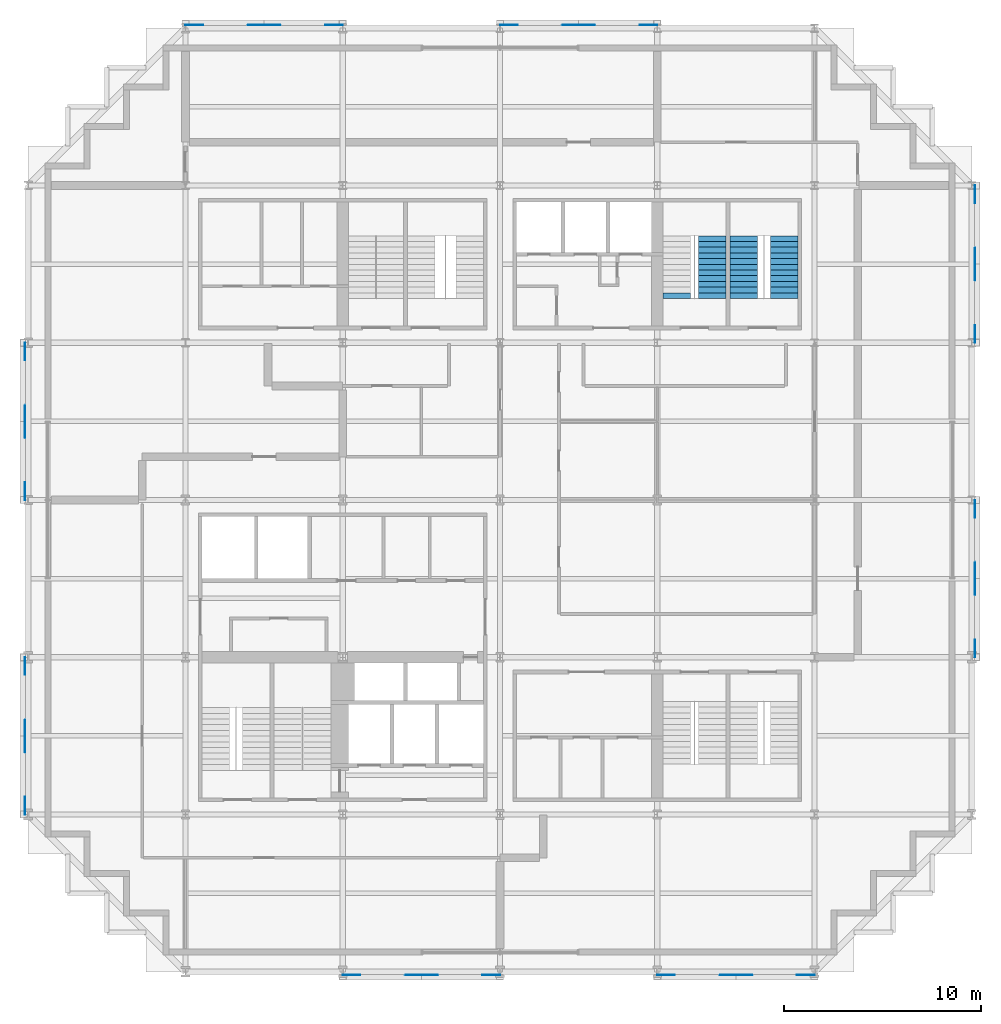
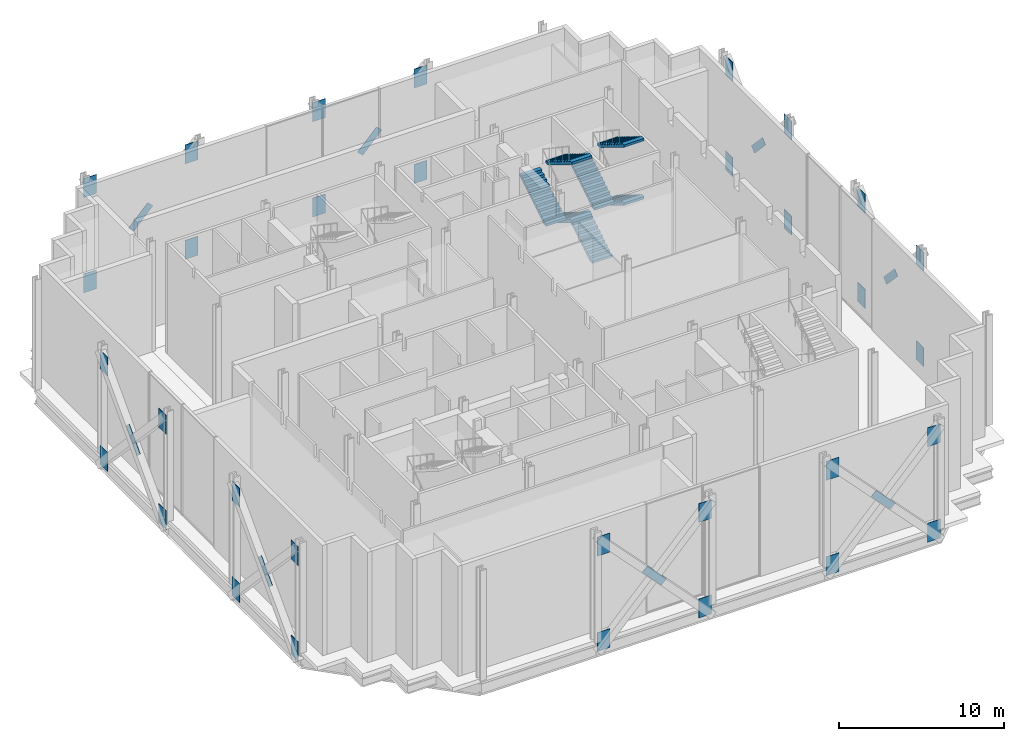
# One storey, part 12 of 13: 40 discrete accessories, 7 stair flights, 2 elements without a shape of their own.
"""IFC4 building model written with IfcOpenShell, lengths in metres."""

from ifc_helpers import new_model, si_unit, direction, frame, origin, origin_2d, place, context, subcontext, project, spatial, polyline, rectangle, outline, extrude, material, material_profile, profile_set, type_object, element, aggregate, save


model = new_model("IFC4")

# Units and contexts
model_context = context("Model", 3, precision=1e-05, world=origin(), true_north=direction((0.0, 1.0)))
body_context = subcontext(model_context, "Body", "Model", "MODEL_VIEW")
ifc_project = project(units=[si_unit("LENGTHUNIT", "METRE"), si_unit("AREAUNIT", "SQUARE_METRE"), si_unit("VOLUMEUNIT", "CUBIC_METRE"), si_unit("PLANEANGLEUNIT", "RADIAN"), si_unit("MASSUNIT", "GRAM", prefix="KILO")], contexts=[model_context])

# Site, building, storey
site_placement = place(None, origin())
site = spatial("IfcSite", under=ifc_project, at=site_placement, CompositionType="ELEMENT")
building_placement = place(site_placement, origin())
building = spatial("IfcBuilding", under=site, at=building_placement, Name="Immortelle Media Tower", CompositionType="ELEMENT")
storey_placement = place(building_placement, frame((0.0, 0.0, 21.0)))
storey = spatial("IfcBuildingStorey", under=building, at=storey_placement, Name="L02", CompositionType="ELEMENT", Elevation=21.0)

# Stair, stair flights
ifc_material_1 = material(Name="Steel ASTM A992 Gr 50", Category="steel")
stair_type = type_object("IfcStairType", Name="Stair with flights", PredefinedType="DOUBLE_RETURN_STAIR", material=ifc_material_1)
stair_1_placement = place(storey_placement, origin())
stair_1 = element("IfcStair", 1, at=stair_1_placement, inside=storey, type_object=stair_type, Name="Exit stair NE1", PredefinedType="DOUBLE_RETURN_STAIR")
stair_flight_type = type_object("IfcStairFlightType", Name="Stair flight 1400", PredefinedType="STRAIGHT", material=ifc_material_1)
stair_flight_1_placement = place(storey_placement, frame((34.800048828125, 37.43994140625, 1.966064453125), z_axis=(0.0, 0.0, 1.0), x_axis=(0.0, -1.0, 0.0)))
stair_flight_1 = element("IfcStairFlight", 2, at=stair_flight_1_placement, type_object=stair_flight_type, Name="ST NE1 flight 2", NumberOfRisers=12, NumberOfTreads=11, PredefinedType="STRAIGHT", RiserHeight=0.178723404, TreadLength=0.29, context=body_context, shape_type="SweptSolid", body=[
    extrude(outline(polyline([(0.0, 0.0), (0.0, 0.1787109375), (0.2900390625, 0.1787109375), (0.2900390625, 0.357421875), (0.580078125, 0.357421875), (0.580078125, 0.5361328125), (0.8701171875, 0.5361328125), (0.8701171875, 0.71484375), (1.159912109375, 0.71484375), (1.159912109375, 0.8935546875), (1.449951171875, 0.8935546875), (1.449951171875, 1.072265625), (1.739990234375, 1.072265625), (1.739990234375, 1.2509765625), (2.030029296875, 1.2509765625), (2.030029296875, 1.4296875), (2.320068359375, 1.4296875), (2.320068359375, 1.6083984375), (2.610107421875, 1.6083984375), (2.610107421875, 1.787353515625), (2.89990234375, 1.787353515625), (2.89990234375, 1.966064453125), (3.18994140625, 1.966064453125), (3.18994140625, 2.144775390625), (3.18994140625, 1.789794921875), (0.28564453125, 0.0), (0.0, 0.0)])), frame((0.0, 0.699951171875, 0.0), z_axis=(0.0, -1.0, 0.0), x_axis=(1.0, 0.0, 0.0)), (0.0, 0.0, 1.0), 1.39990234375),
])
stair_flight_2_placement = place(storey_placement, frame((33.0, 34.25, 4.110595703125), z_axis=(0.0, 0.0, 1.0), x_axis=(0.0, 1.0, 0.0)))
stair_flight_2 = element("IfcStairFlight", 3, at=stair_flight_2_placement, type_object=stair_flight_type, Name="ST NE1 flight 3", NumberOfRisers=12, NumberOfTreads=11, PredefinedType="STRAIGHT", RiserHeight=0.178723404, TreadLength=0.29, context=body_context, shape_type="SweptSolid", body=[
    extrude(outline(polyline([(0.0, 0.0), (0.0, 0.1787109375), (0.2900390625, 0.1787109375), (0.2900390625, 0.357421875), (0.580078125, 0.357421875), (0.580078125, 0.5361328125), (0.8701171875, 0.5361328125), (0.8701171875, 0.71484375), (1.159912109375, 0.71484375), (1.159912109375, 0.8935546875), (1.449951171875, 0.8935546875), (1.449951171875, 1.072265625), (1.739990234375, 1.072265625), (1.739990234375, 1.2509765625), (2.030029296875, 1.2509765625), (2.030029296875, 1.4296875), (2.320068359375, 1.4296875), (2.320068359375, 1.6083984375), (2.610107421875, 1.6083984375), (2.610107421875, 1.787353515625), (2.89990234375, 1.787353515625), (2.89990234375, 1.966064453125), (3.18994140625, 1.966064453125), (3.18994140625, 2.144775390625), (3.18994140625, 1.789794921875), (0.28564453125, 0.0), (0.0, 0.0)])), frame((0.0, 0.699951171875, 0.0), z_axis=(0.0, -1.0, 0.0), x_axis=(1.0, 0.0, 0.0)), (0.0, 0.0, 1.0), 1.39990234375),
])
stair_flight_3_placement = place(storey_placement, frame((34.800048828125, 37.43994140625, 6.25537109375), z_axis=(0.0, 0.0, 1.0), x_axis=(0.0, -1.0, 0.0)))
stair_flight_3 = element("IfcStairFlight", 4, at=stair_flight_3_placement, type_object=stair_flight_type, Name="ST NE1 flight 4", NumberOfRisers=12, NumberOfTreads=11, PredefinedType="STRAIGHT", RiserHeight=0.178723404, TreadLength=0.29, context=body_context, shape_type="SweptSolid", body=[
    extrude(outline(polyline([(0.0, 0.0), (0.0, 0.1787109375), (0.2900390625, 0.1787109375), (0.2900390625, 0.357421875), (0.580078125, 0.357421875), (0.580078125, 0.5361328125), (0.8701171875, 0.5361328125), (0.8701171875, 0.71484375), (1.159912109375, 0.71484375), (1.159912109375, 0.8935546875), (1.449951171875, 0.8935546875), (1.449951171875, 1.072265625), (1.739990234375, 1.072265625), (1.739990234375, 1.2509765625), (2.030029296875, 1.2509765625), (2.030029296875, 1.4296875), (2.320068359375, 1.4296875), (2.320068359375, 1.6083984375), (2.610107421875, 1.6083984375), (2.610107421875, 1.787353515625), (2.89990234375, 1.787353515625), (2.89990234375, 1.966064453125), (3.18994140625, 1.966064453125), (3.18994140625, 2.144775390625), (3.18994140625, 1.789794921875), (0.28564453125, 0.0), (0.0, 0.0)])), frame((0.0, 0.699951171875, 0.0), z_axis=(0.0, -1.0, 0.0), x_axis=(1.0, 0.0, 0.0)), (0.0, 0.0, 1.0), 1.39990234375),
])
aggregate(stair_1, [stair_flight_1, stair_flight_2, stair_flight_3])

stair_2_placement = place(storey_placement, origin())
stair_2 = element("IfcStair", 5, at=stair_2_placement, inside=storey, type_object=stair_type, Name="Exit stair NE2", PredefinedType="DOUBLE_RETURN_STAIR")
stair_flight_4_placement = place(storey_placement, frame((36.39990234375, 34.5400390625, 0.0), z_axis=(0.0, 0.0, 1.0), x_axis=(0.0, 1.0, 0.0)))
stair_flight_4 = element("IfcStairFlight", 6, at=stair_flight_4_placement, type_object=stair_flight_type, Name="ST NE2 flight 1", NumberOfRisers=11, NumberOfTreads=10, PredefinedType="STRAIGHT", RiserHeight=0.178723404, TreadLength=0.29, context=body_context, shape_type="SweptSolid", body=[
    extrude(outline(polyline([(0.0, 0.0), (0.0, 0.1787109375), (0.2900390625, 0.1787109375), (0.2900390625, 0.357421875), (0.580078125, 0.357421875), (0.580078125, 0.5361328125), (0.8701171875, 0.5361328125), (0.8701171875, 0.71484375), (1.159912109375, 0.71484375), (1.159912109375, 0.8935546875), (1.449951171875, 0.8935546875), (1.449951171875, 1.072265625), (1.739990234375, 1.072265625), (1.739990234375, 1.2509765625), (2.030029296875, 1.2509765625), (2.030029296875, 1.4296875), (2.320068359375, 1.4296875), (2.320068359375, 1.6083984375), (2.610107421875, 1.6083984375), (2.610107421875, 1.787353515625), (2.89990234375, 1.787353515625), (2.89990234375, 1.966064453125), (2.89990234375, 1.611083984375), (0.28564453125, 0.0), (0.0, 0.0)])), frame((0.0, 0.699951171875, 0.0), z_axis=(0.0, -1.0, 0.0), x_axis=(1.0, 0.0, 0.0)), (0.0, 0.0, 1.0), 1.39990234375),
])
stair_flight_5_placement = place(storey_placement, frame((38.449951171875, 37.43994140625, 1.966064453125), z_axis=(0.0, 0.0, 1.0), x_axis=(0.0, -1.0, 0.0)))
stair_flight_5 = element("IfcStairFlight", 7, at=stair_flight_5_placement, type_object=stair_flight_type, Name="ST NE2 flight 2", NumberOfRisers=12, NumberOfTreads=11, PredefinedType="STRAIGHT", RiserHeight=0.178723404, TreadLength=0.29, context=body_context, shape_type="SweptSolid", body=[
    extrude(outline(polyline([(0.0, 0.0), (0.0, 0.1787109375), (0.2900390625, 0.1787109375), (0.2900390625, 0.357421875), (0.580078125, 0.357421875), (0.580078125, 0.5361328125), (0.8701171875, 0.5361328125), (0.8701171875, 0.71484375), (1.159912109375, 0.71484375), (1.159912109375, 0.8935546875), (1.449951171875, 0.8935546875), (1.449951171875, 1.072265625), (1.739990234375, 1.072265625), (1.739990234375, 1.2509765625), (2.030029296875, 1.2509765625), (2.030029296875, 1.4296875), (2.320068359375, 1.4296875), (2.320068359375, 1.6083984375), (2.610107421875, 1.6083984375), (2.610107421875, 1.787353515625), (2.89990234375, 1.787353515625), (2.89990234375, 1.966064453125), (3.18994140625, 1.966064453125), (3.18994140625, 2.144775390625), (3.18994140625, 1.789794921875), (0.28564453125, 0.0), (0.0, 0.0)])), frame((0.0, 0.699951171875, 0.0), z_axis=(0.0, -1.0, 0.0), x_axis=(1.0, 0.0, 0.0)), (0.0, 0.0, 1.0), 1.39990234375),
])
stair_flight_6_placement = place(storey_placement, frame((36.39990234375, 34.25, 4.110595703125), z_axis=(0.0, 0.0, 1.0), x_axis=(0.0, 1.0, 0.0)))
stair_flight_6 = element("IfcStairFlight", 8, at=stair_flight_6_placement, type_object=stair_flight_type, Name="ST NE2 flight 3", NumberOfRisers=12, NumberOfTreads=11, PredefinedType="STRAIGHT", RiserHeight=0.178723404, TreadLength=0.29, context=body_context, shape_type="SweptSolid", body=[
    extrude(outline(polyline([(0.0, 0.0), (0.0, 0.1787109375), (0.2900390625, 0.1787109375), (0.2900390625, 0.357421875), (0.580078125, 0.357421875), (0.580078125, 0.5361328125), (0.8701171875, 0.5361328125), (0.8701171875, 0.71484375), (1.159912109375, 0.71484375), (1.159912109375, 0.8935546875), (1.449951171875, 0.8935546875), (1.449951171875, 1.072265625), (1.739990234375, 1.072265625), (1.739990234375, 1.2509765625), (2.030029296875, 1.2509765625), (2.030029296875, 1.4296875), (2.320068359375, 1.4296875), (2.320068359375, 1.6083984375), (2.610107421875, 1.6083984375), (2.610107421875, 1.787353515625), (2.89990234375, 1.787353515625), (2.89990234375, 1.966064453125), (3.18994140625, 1.966064453125), (3.18994140625, 2.144775390625), (3.18994140625, 1.789794921875), (0.28564453125, 0.0), (0.0, 0.0)])), frame((0.0, 0.699951171875, 0.0), z_axis=(0.0, -1.0, 0.0), x_axis=(1.0, 0.0, 0.0)), (0.0, 0.0, 1.0), 1.39990234375),
])
stair_flight_7_placement = place(storey_placement, frame((38.449951171875, 37.43994140625, 6.25537109375), z_axis=(0.0, 0.0, 1.0), x_axis=(0.0, -1.0, 0.0)))
stair_flight_7 = element("IfcStairFlight", 9, at=stair_flight_7_placement, type_object=stair_flight_type, Name="ST NE2 flight 4", NumberOfRisers=12, NumberOfTreads=11, PredefinedType="STRAIGHT", RiserHeight=0.178723404, TreadLength=0.29, context=body_context, shape_type="SweptSolid", body=[
    extrude(outline(polyline([(0.0, 0.0), (0.0, 0.1787109375), (0.2900390625, 0.1787109375), (0.2900390625, 0.357421875), (0.580078125, 0.357421875), (0.580078125, 0.5361328125), (0.8701171875, 0.5361328125), (0.8701171875, 0.71484375), (1.159912109375, 0.71484375), (1.159912109375, 0.8935546875), (1.449951171875, 0.8935546875), (1.449951171875, 1.072265625), (1.739990234375, 1.072265625), (1.739990234375, 1.2509765625), (2.030029296875, 1.2509765625), (2.030029296875, 1.4296875), (2.320068359375, 1.4296875), (2.320068359375, 1.6083984375), (2.610107421875, 1.6083984375), (2.610107421875, 1.787353515625), (2.89990234375, 1.787353515625), (2.89990234375, 1.966064453125), (3.18994140625, 1.966064453125), (3.18994140625, 2.144775390625), (3.18994140625, 1.789794921875), (0.28564453125, 0.0), (0.0, 0.0)])), frame((0.0, 0.699951171875, 0.0), z_axis=(0.0, -1.0, 0.0), x_axis=(1.0, 0.0, 0.0)), (0.0, 0.0, 1.0), 1.39990234375),
])
aggregate(stair_2, [stair_flight_4, stair_flight_5, stair_flight_6, stair_flight_7])

# Discrete accessories
ifc_material_2 = material(Name="Steel ASTM A572 Gr 50", Category="steel")
ifc_material_profile_1 = material_profile(ifc_material_2, rectangle(XDim=0.031982421875, YDim=0.508056640625, at=origin_2d()), Name="PL 32 x 508")
ifc_profile_set_1 = profile_set([ifc_material_profile_1], Name="Steel ASTM A572 Gr 50")
discrete_accessory_type_1 = type_object("IfcDiscreteAccessoryType", Name="Crossing plate XP-BR1 1950 x 508 x 32", PredefinedType="USERDEFINED", material=ifc_profile_set_1)
for number, where, z_axis, x_axis, name in (
    (10, (-0.1640625, 28.67041015625, 4.20361328125), (0.0, -0.687564055217, -0.726123729108), (1.0, 0.0, 0.0), "Crossing plate XP-BR1 of Brace 1/D-E A and Brace 1/D-E B"),
    (11, (-0.1640625, 12.67041015625, 4.20361328125), (0.0, -0.687564055217, -0.726123729108), (1.0, 0.0, 0.0), "Crossing plate XP-BR1 of Brace 1/B-C A and Brace 1/B-C B"),
    (12, (48.1640625, 19.32958984375, 4.20361328125), (0.0, 0.687564055217, -0.726123729108), (-1.0, 0.0, 0.0), "Crossing plate XP-BR1 of Brace 7/C-D A and Brace 7/C-D B"),
    (13, (48.1640625, 35.32958984375, 4.20361328125), (0.0, 0.687564055217, -0.726123729108), (-1.0, 0.0, 0.0), "Crossing plate XP-BR1 of Brace 7/E-F A and Brace 7/E-F B"),
    (14, (28.67041015625, 48.1640625, 4.20361328125), (-0.687564055217, 0.0, -0.726123729108), (0.0, -1.0, 0.0), "Crossing plate XP-BR1 of Brace G/4-5 A and Brace G/4-5 B"),
    (15, (12.67041015625, 48.1640625, 4.20361328125), (-0.687564055217, 0.0, -0.726123729108), (0.0, -1.0, 0.0), "Crossing plate XP-BR1 of Brace G/2-3 A and Brace G/2-3 B"),
    (16, (19.32958984375, -0.1640625, 4.20361328125), (0.687564055217, 0.0, -0.726123729108), (0.0, 1.0, 0.0), "Crossing plate XP-BR1 of Brace A/3-4 A and Brace A/3-4 B"),
    (17, (35.32958984375, -0.1640625, 4.20361328125), (0.687564055217, 0.0, -0.726123729108), (0.0, 1.0, 0.0), "Crossing plate XP-BR1 of Brace A/5-6 A and Brace A/5-6 B"),
):
    element("IfcDiscreteAccessory", number, at=place(storey_placement, frame(where, z_axis=z_axis, x_axis=x_axis)), inside=storey, type_object=discrete_accessory_type_1, Name=name, ObjectType="CROSSING PLATE", PredefinedType="USERDEFINED", context=body_context, shape_type="SweptSolid", body=[
        extrude(rectangle(XDim=0.031982421875, YDim=0.508056640625, at=origin_2d()), origin(), (0.0, 0.0, 1.0), 1.9501953125),
    ])
ifc_material_profile_2 = material_profile(ifc_material_2, rectangle(XDim=0.031982421875, YDim=1.39990234375, at=origin_2d()), Name="PL 32 x 1400")
ifc_profile_set_2 = profile_set([ifc_material_profile_2], Name="Steel ASTM A572 Gr 50")
discrete_accessory_type_2 = type_object("IfcDiscreteAccessoryType", Name="Gusset plate GP1 900 x 1400 x 32", PredefinedType="USERDEFINED", material=ifc_profile_set_2)
for number, where, z_axis, x_axis, name in (
    (18, (-0.1640625, 32.0, -0.029541015625), (0.0, -1.0, 0.0), (1.0, 0.0, 0.0), "Gusset plate GP1, lower end of Brace 1/D-E A"),
    (19, (-0.1640625, 24.0, 7.0205078125), (0.0, 1.0, 0.0), (-1.0, 0.0, 0.0), "Gusset plate GP1, upper end of Brace 1/D-E A"),
    (20, (-0.1640625, 24.0, -0.029541015625), (0.0, 1.0, 0.0), (-1.0, 0.0, 0.0), "Gusset plate GP1, lower end of Brace 1/D-E B"),
    (21, (-0.1640625, 32.0, 7.0205078125), (0.0, -1.0, 0.0), (1.0, 0.0, 0.0), "Gusset plate GP1, upper end of Brace 1/D-E B"),
    (22, (-0.1640625, 16.0, -0.029541015625), (0.0, -1.0, 0.0), (1.0, 0.0, 0.0), "Gusset plate GP1, lower end of Brace 1/B-C A"),
    (23, (-0.1640625, 8.0, 7.0205078125), (0.0, 1.0, 0.0), (-1.0, 0.0, 0.0), "Gusset plate GP1, upper end of Brace 1/B-C A"),
    (24, (-0.1640625, 8.0, -0.029541015625), (0.0, 1.0, 0.0), (-1.0, 0.0, 0.0), "Gusset plate GP1, lower end of Brace 1/B-C B"),
    (25, (-0.1640625, 16.0, 7.0205078125), (0.0, -1.0, 0.0), (1.0, 0.0, 0.0), "Gusset plate GP1, upper end of Brace 1/B-C B"),
    (26, (16.0, -0.1640625, -0.029541015625), (1.0, 0.0, 0.0), (0.0, 1.0, 0.0), "Gusset plate GP1, lower end of Brace A/3-4 A"),
    (27, (24.0, -0.1640625, 7.0205078125), (-1.0, 0.0, 0.0), (0.0, -1.0, 0.0), "Gusset plate GP1, upper end of Brace A/3-4 A"),
    (28, (24.0, -0.1640625, -0.029541015625), (-1.0, 0.0, 0.0), (0.0, -1.0, 0.0), "Gusset plate GP1, lower end of Brace A/3-4 B"),
    (29, (16.0, -0.1640625, 7.0205078125), (1.0, 0.0, 0.0), (0.0, 1.0, 0.0), "Gusset plate GP1, upper end of Brace A/3-4 B"),
    (30, (32.0, -0.1640625, -0.029541015625), (1.0, 0.0, 0.0), (0.0, 1.0, 0.0), "Gusset plate GP1, lower end of Brace A/5-6 A"),
    (31, (40.0, -0.1640625, 7.0205078125), (-1.0, 0.0, 0.0), (0.0, -1.0, 0.0), "Gusset plate GP1, upper end of Brace A/5-6 A"),
    (32, (40.0, -0.1640625, -0.029541015625), (-1.0, 0.0, 0.0), (0.0, -1.0, 0.0), "Gusset plate GP1, lower end of Brace A/5-6 B"),
    (33, (32.0, -0.1640625, 7.0205078125), (1.0, 0.0, 0.0), (0.0, 1.0, 0.0), "Gusset plate GP1, upper end of Brace A/5-6 B"),
    (34, (48.1640625, 16.0, -0.029541015625), (0.0, 1.0, 0.0), (-1.0, 0.0, 0.0), "Gusset plate GP1, lower end of Brace 7/C-D A"),
    (35, (48.1640625, 24.0, 7.0205078125), (0.0, -1.0, 0.0), (1.0, 0.0, 0.0), "Gusset plate GP1, upper end of Brace 7/C-D A"),
    (36, (48.1640625, 24.0, -0.029541015625), (0.0, -1.0, 0.0), (1.0, 0.0, 0.0), "Gusset plate GP1, lower end of Brace 7/C-D B"),
    (37, (48.1640625, 16.0, 7.0205078125), (0.0, 1.0, 0.0), (-1.0, 0.0, 0.0), "Gusset plate GP1, upper end of Brace 7/C-D B"),
    (38, (48.1640625, 32.0, -0.029541015625), (0.0, 1.0, 0.0), (-1.0, 0.0, 0.0), "Gusset plate GP1, lower end of Brace 7/E-F A"),
    (39, (48.1640625, 40.0, 7.0205078125), (0.0, -1.0, 0.0), (1.0, 0.0, 0.0), "Gusset plate GP1, upper end of Brace 7/E-F A"),
    (40, (48.1640625, 40.0, -0.029541015625), (0.0, -1.0, 0.0), (1.0, 0.0, 0.0), "Gusset plate GP1, lower end of Brace 7/E-F B"),
    (41, (48.1640625, 32.0, 7.0205078125), (0.0, 1.0, 0.0), (-1.0, 0.0, 0.0), "Gusset plate GP1, upper end of Brace 7/E-F B"),
    (42, (32.0, 48.1640625, -0.029541015625), (-1.0, 0.0, 0.0), (0.0, -1.0, 0.0), "Gusset plate GP1, lower end of Brace G/4-5 A"),
    (43, (24.0, 48.1640625, 7.0205078125), (1.0, 0.0, 0.0), (0.0, 1.0, 0.0), "Gusset plate GP1, upper end of Brace G/4-5 A"),
    (44, (24.0, 48.1640625, -0.029541015625), (1.0, 0.0, 0.0), (0.0, 1.0, 0.0), "Gusset plate GP1, lower end of Brace G/4-5 B"),
    (45, (32.0, 48.1640625, 7.0205078125), (-1.0, 0.0, 0.0), (0.0, -1.0, 0.0), "Gusset plate GP1, upper end of Brace G/4-5 B"),
    (46, (16.0, 48.1640625, -0.029541015625), (-1.0, 0.0, 0.0), (0.0, -1.0, 0.0), "Gusset plate GP1, lower end of Brace G/2-3 A"),
    (47, (8.0, 48.1640625, 7.0205078125), (1.0, 0.0, 0.0), (0.0, 1.0, 0.0), "Gusset plate GP1, upper end of Brace G/2-3 A"),
    (48, (8.0, 48.1640625, -0.029541015625), (1.0, 0.0, 0.0), (0.0, 1.0, 0.0), "Gusset plate GP1, lower end of Brace G/2-3 B"),
    (49, (16.0, 48.1640625, 7.0205078125), (-1.0, 0.0, 0.0), (0.0, -1.0, 0.0), "Gusset plate GP1, upper end of Brace G/2-3 B"),
):
    element("IfcDiscreteAccessory", number, at=place(storey_placement, frame(where, z_axis=z_axis, x_axis=x_axis)), inside=storey, type_object=discrete_accessory_type_2, Name=name, ObjectType="GUSSET PLATE", PredefinedType="USERDEFINED", context=body_context, shape_type="SweptSolid", body=[
        extrude(rectangle(XDim=0.031982421875, YDim=1.39990234375, at=origin_2d()), origin(), (0.0, 0.0, 1.0), 0.89990234375),
    ])

save(model, "model.ifc")
